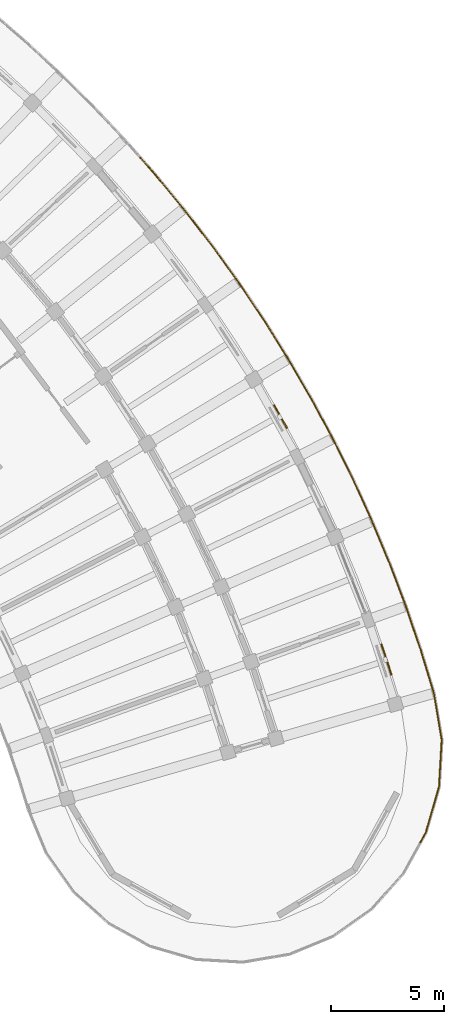
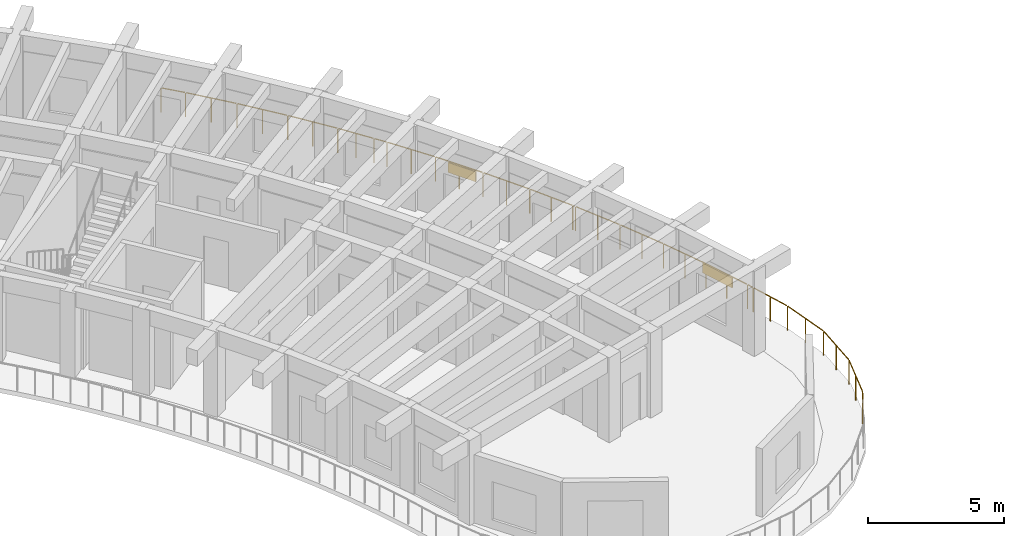
# One storey, part 126 of 128: 4 railings, 2 shading devices.
"""IFC4 building model written with IfcOpenShell, lengths in metres."""

from ifc_helpers import new_model, si_unit, direction, frame, origin, origin_2d, place, context, subcontext, project, spatial, rectangle, circle, extrude, material, layer, layer_set, type_object, element, save


model = new_model("IFC4")

# Units and contexts
model_context = context("Model", 3, precision=1e-05, world=origin(), true_north=direction((0.0, 1.0)))
body_context = subcontext(model_context, "Body", "Model", "MODEL_VIEW")
ifc_project = project(units=[si_unit("LENGTHUNIT", "METRE"), si_unit("AREAUNIT", "SQUARE_METRE"), si_unit("VOLUMEUNIT", "CUBIC_METRE"), si_unit("PLANEANGLEUNIT", "RADIAN"), si_unit("MASSUNIT", "GRAM", prefix="KILO")], contexts=[model_context])

# Site, building, storey
site_placement = place(None, origin())
site = spatial("IfcSite", under=ifc_project, at=site_placement, CompositionType="ELEMENT")
building_placement = place(site_placement, origin())
building = spatial("IfcBuilding", under=site, at=building_placement, Name="Tanwirah Colonnade Gardens", CompositionType="ELEMENT")
storey_placement = place(building_placement, frame((0.0, 0.0, 4.760009765625)))
storey = spatial("IfcBuildingStorey", under=building, at=storey_placement, Name="L01", CompositionType="ELEMENT", Elevation=4.760009765625)

# Railings
ifc_material_1 = material(Name="Precast concrete C40/50", Category="concrete")
railing_type = type_object("IfcRailingType", Name="BAL-EXT112", PredefinedType="BALUSTRADE", material=ifc_material_1)
railing_1_placement = place(storey_placement, frame((166.9609375, 100.77978515625, 0.0)))
element("IfcRailing", 1, at=railing_1_placement, inside=storey, type_object=railing_type, Name="Block B L01 Balcony Ribbon Balustrade 16", PredefinedType="BALUSTRADE", context=body_context, shape_type="SweptSolid", body=[
    extrude(circle(Radius=0.02392578125, at=origin_2d()), frame((0.020751953125, -0.0234375, 1.09619140625), z_axis=(0.662540558748, -0.74902603961, 0.0), x_axis=(0.74902603961, 0.662540558748, 0.0)), (0.0, 0.0, 1.0), 0.885986328125),
    extrude(circle(Radius=0.02392578125, at=origin_2d()), frame((0.6484375, -0.734619140625, 1.09619140625), z_axis=(0.637555355491, -0.770404548717, 0.0), x_axis=(0.770404548717, 0.637555355491, 0.0)), (0.0, 0.0, 1.0), 1.958984375),
    extrude(circle(Radius=0.02392578125, at=origin_2d()), frame((1.936279296875, -2.29248046875, 1.09619140625), z_axis=(0.611856467608, -0.790968812942, 0.0), x_axis=(0.790968812942, 0.611856467608, 0.0)), (0.0, 0.0, 1.0), 1.958984375),
    extrude(circle(Radius=0.02392578125, at=origin_2d()), frame((3.17236328125, -3.89208984375, 1.09619140625), z_axis=(0.585468507287, -0.810695150457, 0.0), x_axis=(0.810695150457, 0.585468507287, 0.0)), (0.0, 0.0, 1.0), 1.958984375),
    extrude(circle(Radius=0.02392578125, at=origin_2d()), frame((4.35498046875, -5.531494140625, 1.09619140625), z_axis=(0.558332900228, -0.829617003516, 0.0), x_axis=(0.829617003516, 0.558332900228, 0.0)), (0.0, 0.0, 1.0), 1.424072265625),
    extrude(circle(Radius=0.02099609375, at=origin_2d()), origin(), (0.0, 0.0, 1.0), 1.069091796875),
    extrude(circle(Radius=0.02099609375, at=origin_2d()), frame((0.62841796875, -0.71044921875, 0.0)), (0.0, 0.0, 1.0), 1.069091796875),
    extrude(circle(Radius=0.02099609375, at=origin_2d()), frame((1.27294921875, -1.4892578125, 0.0)), (0.0, 0.0, 1.0), 1.069091796875),
    extrude(circle(Radius=0.02099609375, at=origin_2d()), frame((1.917236328125, -2.267822265625, 0.0)), (0.0, 0.0, 1.0), 1.069091796875),
    extrude(circle(Radius=0.02099609375, at=origin_2d()), frame((2.53564453125, -3.0673828125, 0.0)), (0.0, 0.0, 1.0), 1.069091796875),
    extrude(circle(Radius=0.02099609375, at=origin_2d()), frame((3.154052734375, -3.86669921875, 0.0)), (0.0, 0.0, 1.0), 1.069091796875),
    extrude(circle(Radius=0.02099609375, at=origin_2d()), frame((3.745849609375, -4.68603515625, 0.0)), (0.0, 0.0, 1.0), 1.069091796875),
    extrude(circle(Radius=0.02099609375, at=origin_2d()), frame((4.337646484375, -5.505615234375, 0.0)), (0.0, 0.0, 1.0), 1.069091796875),
    extrude(circle(Radius=0.02099609375, at=origin_2d()), frame((4.752685546875, -6.122314453125, 0.0)), (0.0, 0.0, 1.0), 1.069091796875),
    extrude(circle(Radius=0.02099609375, at=origin_2d()), frame((5.167724609375, -6.739013671875, 0.0)), (0.0, 0.0, 1.0), 1.069091796875),
])
railing_2_placement = place(storey_placement, frame((172.128662109375, 94.040771484375, 0.0)))
element("IfcRailing", 2, at=railing_2_placement, inside=storey, type_object=railing_type, Name="Block B L01 Balcony Ribbon Balustrade 17", PredefinedType="BALUSTRADE", context=body_context, shape_type="SweptSolid", body=[
    extrude(circle(Radius=0.02392578125, at=origin_2d()), frame((0.017578125, -0.02587890625, 1.09619140625), z_axis=(0.558382411213, -0.829583680437, 0.0), x_axis=(0.829583680437, 0.558382411213, 0.0)), (0.0, 0.0, 1.0), 0.47216796875),
    extrude(circle(Radius=0.02392578125, at=origin_2d()), frame((0.315185546875, -0.47021484375, 1.09619140625), z_axis=(0.530812919598, -0.847489023167, 0.0), x_axis=(0.847489023167, 0.530812919598, 0.0)), (0.0, 0.0, 1.0), 1.958984375),
    extrude(circle(Radius=0.02392578125, at=origin_2d()), frame((1.38720703125, -2.183837890625, 1.09619140625), z_axis=(0.502421024862, -0.864623105045, 0.0), x_axis=(0.864623105045, 0.502421024862, 0.0)), (0.0, 0.0, 1.0), 1.958984375),
    extrude(circle(Radius=0.02392578125, at=origin_2d()), frame((2.402099609375, -3.93212890625, 1.09619140625), z_axis=(0.473826102441, -0.88061843306, 0.0), x_axis=(0.88061843306, 0.473826102441, 0.0)), (0.0, 0.0, 1.0), 1.958740234375),
    extrude(circle(Radius=0.02392578125, at=origin_2d()), frame((3.35888671875, -5.712646484375, 1.09619140625), z_axis=(0.444437722231, -0.895809751598, 0.0), x_axis=(0.895809751598, 0.444437722231, 0.0)), (0.0, 0.0, 1.0), 1.838623046875),
    extrude(circle(Radius=0.02099609375, at=origin_2d()), origin(), (0.0, 0.0, 1.0), 1.069091796875),
    extrude(circle(Radius=0.02099609375, at=origin_2d()), frame((0.298583984375, -0.443603515625, 0.0)), (0.0, 0.0, 1.0), 1.069091796875),
    extrude(circle(Radius=0.02099609375, at=origin_2d()), frame((0.8349609375, -1.30029296875, 0.0)), (0.0, 0.0, 1.0), 1.069091796875),
    extrude(circle(Radius=0.02099609375, at=origin_2d()), frame((1.37158203125, -2.15673828125, 0.0)), (0.0, 0.0, 1.0), 1.069091796875),
    extrude(circle(Radius=0.02099609375, at=origin_2d()), frame((1.87939453125, -3.03076171875, 0.0)), (0.0, 0.0, 1.0), 1.069091796875),
    extrude(circle(Radius=0.02099609375, at=origin_2d()), frame((2.38720703125, -3.904541015625, 0.0)), (0.0, 0.0, 1.0), 1.069091796875),
    extrude(circle(Radius=0.02099609375, at=origin_2d()), frame((2.8662109375, -4.79443359375, 0.0)), (0.0, 0.0, 1.0), 1.069091796875),
    extrude(circle(Radius=0.02099609375, at=origin_2d()), frame((3.344970703125, -5.6845703125, 0.0)), (0.0, 0.0, 1.0), 1.069091796875),
    extrude(circle(Radius=0.02099609375, at=origin_2d()), frame((3.767578125, -6.5361328125, 0.0)), (0.0, 0.0, 1.0), 1.069091796875),
    extrude(circle(Radius=0.02099609375, at=origin_2d()), frame((4.18994140625, -7.3876953125, 0.0)), (0.0, 0.0, 1.0), 1.069091796875),
])
railing_3_placement = place(storey_placement, frame((176.318603515625, 86.653076171875, 0.0)))
element("IfcRailing", 3, at=railing_3_placement, inside=storey, type_object=railing_type, Name="Block B L01 Balcony Ribbon Balustrade 18", PredefinedType="BALUSTRADE", context=body_context, shape_type="SweptSolid", body=[
    extrude(circle(Radius=0.02392578125, at=origin_2d()), frame((0.013916015625, -0.028076171875, 1.09619140625), z_axis=(0.443967059849, -0.896043107093, 0.0), x_axis=(0.896043107093, 0.443967059849, 0.0)), (0.0, 0.0, 1.0), 0.057861328125),
    extrude(circle(Radius=0.02392578125, at=origin_2d()), frame((0.06640625, -0.136474609375, 1.09619140625), z_axis=(0.414749084938, -0.909935820013, 0.0), x_axis=(0.909935820013, 0.414749084938, 0.0)), (0.0, 0.0, 1.0), 1.958984375),
    extrude(circle(Radius=0.02392578125, at=origin_2d()), frame((0.90380859375, -1.97607421875, 1.09619140625), z_axis=(0.384409566544, -0.92316265368, 0.0), x_axis=(0.92316265368, 0.384409566544, 0.0)), (0.0, 0.0, 1.0), 1.958984375),
    extrude(circle(Radius=0.02392578125, at=origin_2d()), frame((1.679931640625, -3.8427734375, 1.09619140625), z_axis=(0.353874964852, -0.935292739869, 0.0), x_axis=(0.935292739869, 0.353874964852, 0.0)), (0.0, 0.0, 1.0), 1.958984375),
    extrude(circle(Radius=0.02392578125, at=origin_2d()), frame((2.394287109375, -5.733642578125, 1.09619140625), z_axis=(0.322850987486, -0.946449808431, 0.0), x_axis=(0.946449808431, 0.322850987486, 0.0)), (0.0, 0.0, 1.0), 1.958740234375),
    extrude(circle(Radius=0.02392578125, at=origin_2d()), frame((3.0458984375, -7.647216796875, 1.09619140625), z_axis=(0.290930071213, -0.956744319902, 0.0), x_axis=(0.956744319902, 0.290930071213, 0.0)), (0.0, 0.0, 1.0), 0.231201171875),
    extrude(circle(Radius=0.02099609375, at=origin_2d()), origin(), (0.0, 0.0, 1.0), 1.069091796875),
    extrude(circle(Radius=0.02099609375, at=origin_2d()), frame((0.053466796875, -0.10791015625, 0.0)), (0.0, 0.0, 1.0), 1.069091796875),
    extrude(circle(Radius=0.02099609375, at=origin_2d()), frame((0.47265625, -1.027587890625, 0.0)), (0.0, 0.0, 1.0), 1.069091796875),
    extrude(circle(Radius=0.02099609375, at=origin_2d()), frame((0.891845703125, -1.947265625, 0.0)), (0.0, 0.0, 1.0), 1.069091796875),
    extrude(circle(Radius=0.02099609375, at=origin_2d()), frame((1.2802734375, -2.88037109375, 0.0)), (0.0, 0.0, 1.0), 1.069091796875),
    extrude(circle(Radius=0.02099609375, at=origin_2d()), frame((1.6689453125, -3.8134765625, 0.0)), (0.0, 0.0, 1.0), 1.069091796875),
    extrude(circle(Radius=0.02099609375, at=origin_2d()), frame((2.026611328125, -4.7587890625, 0.0)), (0.0, 0.0, 1.0), 1.069091796875),
    extrude(circle(Radius=0.02099609375, at=origin_2d()), frame((2.38427734375, -5.7041015625, 0.0)), (0.0, 0.0, 1.0), 1.069091796875),
    extrude(circle(Radius=0.02099609375, at=origin_2d()), frame((2.71044921875, -6.66064453125, 0.0)), (0.0, 0.0, 1.0), 1.069091796875),
    extrude(circle(Radius=0.02099609375, at=origin_2d()), frame((3.036865234375, -7.6171875, 0.0)), (0.0, 0.0, 1.0), 1.069091796875),
    extrude(circle(Radius=0.02099609375, at=origin_2d()), frame((3.122314453125, -7.898193359375, 0.0)), (0.0, 0.0, 1.0), 1.069091796875),
])
railing_4_placement = place(storey_placement, frame((179.44091796875, 78.7548828125, 0.0)))
element("IfcRailing", 4, at=railing_4_placement, inside=storey, type_object=railing_type, Name="Block B L01 Balcony Ribbon Balustrade 19", PredefinedType="BALUSTRADE", context=body_context, shape_type="SweptSolid", body=[
    extrude(circle(Radius=0.02392578125, at=origin_2d()), frame((0.009033203125, -0.02978515625, 1.09619140625), z_axis=(0.29143772277, -0.956589804329, 0.0), x_axis=(0.956589804329, 0.29143772277, 0.0)), (0.0, 0.0, 1.0), 1.661376953125),
    extrude(circle(Radius=0.02392578125, at=origin_2d()), frame((0.507568359375, -1.679931640625, 1.09619140625), z_axis=(0.166292387508, -0.986076488847, 0.0), x_axis=(0.986076488847, 0.166292387508, 0.0)), (0.0, 0.0, 1.0), 2.028076171875),
    extrude(circle(Radius=0.02392578125, at=origin_2d()), frame((0.848388671875, -3.741943359375, 1.09619140625), z_axis=(-0.057322977065, -0.998355686266, 0.0), x_axis=(0.998355686266, -0.057322977065, 0.0)), (0.0, 0.0, 1.0), 2.0244140625),
    extrude(circle(Radius=0.02392578125, at=origin_2d()), frame((0.7216796875, -5.82421875, 1.09619140625), z_axis=(-0.277964335026, -0.960591395159, 0.0), x_axis=(0.960591395159, -0.277964335026, 0.0)), (0.0, 0.0, 1.0), 2.0244140625),
    extrude(circle(Radius=0.02392578125, at=origin_2d()), frame((0.13525390625, -7.826171875, 1.09619140625), z_axis=(-0.48479192052, -0.874629518024, 0.0), x_axis=(0.874629518024, -0.48479192052, 0.0)), (0.0, 0.0, 1.0), 0.44921875),
    extrude(circle(Radius=0.02099609375, at=origin_2d()), origin(), (0.0, 0.0, 1.0), 1.069091796875),
    extrude(circle(Radius=0.02099609375, at=origin_2d()), frame((0.251220703125, -0.82470703125, 0.0)), (0.0, 0.0, 1.0), 1.069091796875),
    extrude(circle(Radius=0.02099609375, at=origin_2d()), frame((0.50244140625, -1.649169921875, 0.0)), (0.0, 0.0, 1.0), 1.069091796875),
    extrude(circle(Radius=0.02099609375, at=origin_2d()), frame((0.67626953125, -2.679931640625, 0.0)), (0.0, 0.0, 1.0), 1.069091796875),
    extrude(circle(Radius=0.02099609375, at=origin_2d()), frame((0.85009765625, -3.710693359375, 0.0)), (0.0, 0.0, 1.0), 1.069091796875),
    extrude(circle(Radius=0.02099609375, at=origin_2d()), frame((0.790283203125, -4.75244140625, 0.0)), (0.0, 0.0, 1.0), 1.069091796875),
    extrude(circle(Radius=0.02099609375, at=origin_2d()), frame((0.73046875, -5.794189453125, 0.0)), (0.0, 0.0, 1.0), 1.069091796875),
    extrude(circle(Radius=0.02099609375, at=origin_2d()), frame((0.4404296875, -6.79638671875, 0.0)), (0.0, 0.0, 1.0), 1.069091796875),
    extrude(circle(Radius=0.02099609375, at=origin_2d()), frame((0.150390625, -7.798828125, 0.0)), (0.0, 0.0, 1.0), 1.069091796875),
    extrude(circle(Radius=0.02099609375, at=origin_2d()), frame((-0.09765625, -8.246337890625, 0.0)), (0.0, 0.0, 1.0), 1.069091796875),
])

# Shading devices
ifc_material_2 = material(Name="Perforated architectural bronze aluminium", Category="aluminium")
ifc_layer = layer(ifc_material_2, 0.050048828125)
ifc_layer_set = layer_set([ifc_layer], Name="Perforated architectural bronze aluminium")
shading_device_type = type_object("IfcShadingDeviceType", Name="SHD-OVH1", PredefinedType="SHUTTER", material=ifc_layer_set)
shading_device_1_placement = place(storey_placement, frame((177.84521484375, 78.595703125, 2.0849609375), z_axis=(0.0, 0.0, 1.0), x_axis=(-0.307172918338, 0.951653717609, 0.0)))
element("IfcShadingDevice", 5, at=shading_device_1_placement, inside=storey, type_object=shading_device_type, Name="Solar shading louver hood B-L01-00", PredefinedType="SHUTTER", context=body_context, shape_type="SweptSolid", body=[
    extrude(rectangle(XDim=1.449951171875, YDim=0.06005859375, at=origin_2d()), origin(), (0.0, 0.0, 1.0), 0.449951171875),
])
shading_device_2_placement = place(storey_placement, frame((173.165771484375, 89.329345703125, 1.865234375), z_axis=(0.0, 0.0, 1.0), x_axis=(-0.488197768879, 0.872733028171, 0.0)))
element("IfcShadingDevice", 6, at=shading_device_2_placement, inside=storey, type_object=shading_device_type, Name="Solar shading louver hood B-L01-03", PredefinedType="SHUTTER", context=body_context, shape_type="SweptSolid", body=[
    extrude(rectangle(XDim=1.179931640625, YDim=0.06005859375, at=origin_2d()), origin(), (0.0, 0.0, 1.0), 0.449951171875),
])

save(model, "model.ifc")
